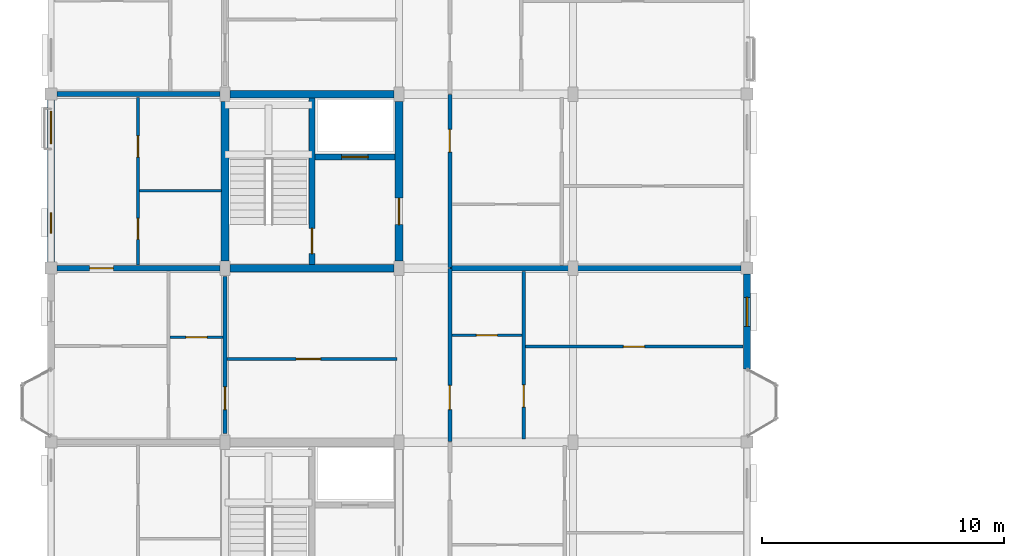
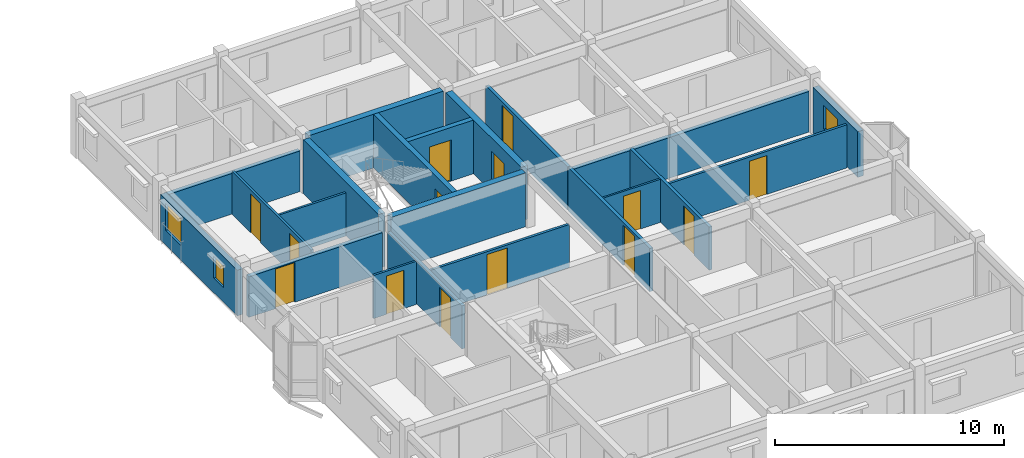
# One storey, part 41 of 64: 21 walls, 14 doors, 3 windows, 17 openings.
"""IFC4 building model written with IfcOpenShell, lengths in metres."""

from ifc_helpers import new_model, si_unit, direction, frame, frame_2d, origin, place, context, subcontext, project, spatial, rectangle, extrude, material, layer, layer_set, type_object, element, fill, save


model = new_model("IFC4")

# Units and contexts
model_context = context("Model", 3, precision=1e-05, world=origin(), true_north=direction((0.0, 1.0)))
body_context = subcontext(model_context, "Body", "Model", "MODEL_VIEW")
ifc_project = project(units=[si_unit("LENGTHUNIT", "METRE"), si_unit("AREAUNIT", "SQUARE_METRE"), si_unit("VOLUMEUNIT", "CUBIC_METRE"), si_unit("PLANEANGLEUNIT", "RADIAN"), si_unit("MASSUNIT", "GRAM", prefix="KILO"), si_unit("THERMODYNAMICTEMPERATUREUNIT", "KELVIN"), si_unit("POWERUNIT", "WATT")], contexts=[model_context])

# Site, building, storey
site_placement = place(None, origin())
site = spatial("IfcSite", under=ifc_project, at=site_placement, CompositionType="ELEMENT")
building_placement = place(site_placement, origin())
building = spatial("IfcBuilding", under=site, at=building_placement, Name="Tavuni Mirador Residences", CompositionType="ELEMENT")
storey_placement = place(building_placement, frame((0.0, 0.0, 26.550048828125)))
storey = spatial("IfcBuildingStorey", under=building, at=storey_placement, Name="L08", CompositionType="ELEMENT", Elevation=26.550048828125)

# Wall, opening, door
ifc_material_1 = material(Name="Precast concrete C40/50", Category="concrete")
ifc_layer_1 = layer(ifc_material_1, 0.25, Name="Precast concrete C40/50", Category="concrete")
ifc_layer_set_1 = layer_set([ifc_layer_1], Name="Precast concrete C40/50")
wall_type_1 = type_object("IfcWallType", Name="WT-COR250", PredefinedType="SHEAR", material=ifc_layer_set_1)
wall_1_placement = place(storey_placement, frame((14.39990234375, 28.9599609375, 0.0), z_axis=(0.0, 0.0, 1.0), x_axis=(0.0, 1.0, 0.0)))
wall_1 = element("IfcWall", 1, at=wall_1_placement, inside=storey, type_object=wall_type_1, Name="CWALL-C2-L08-MID", PredefinedType="SHEAR", context=body_context, shape_type="SweptSolid", body=[
    extrude(rectangle(XDim=6.880126953125, YDim=0.25, at=frame_2d((3.43994140625, 0.0))), origin(), (0.0, 0.0, 1.0), 2.869873046875),
])
opening_1_placement = place(wall_1_placement, frame((0.43994140625, 0.0, 0.0)))
opening_1 = element("IfcOpeningElement", 2, at=opening_1_placement, cuts=wall_1, Name="Opening D-01", PredefinedType="OPENING", context=body_context, shape_type="SweptSolid", body=[
    extrude(rectangle(XDim=1.050048828125, YDim=2.14990234375, at=frame_2d((0.52490234375, 1.074951171875))), frame((0.0, 0.135009765625, 0.0), z_axis=(0.0, -1.0, 0.0), x_axis=(1.0, 0.0, 0.0)), (0.0, 0.0, 1.0), 0.27001953125),
])
ifc_material_2 = material(Name="Solid core iroko timber", Category="wood")
door_type_1 = type_object("IfcDoorType", Name="DT-ST1050", OperationType="NOTDEFINED", PredefinedType="DOOR", material=ifc_material_2)
door_1_placement = place(opening_1_placement, origin())
door_1 = element("IfcDoor", 3, at=door_1_placement, inside=storey, type_object=door_type_1, Name="DR-2084", OperationType="SINGLE_SWING_RIGHT", OverallHeight=2.14990234375, OverallWidth=1.050048828125, PredefinedType="DOOR", context=body_context, shape_type="SweptSolid", body=[
    extrude(rectangle(XDim=1.050048828125, YDim=2.14990234375, at=frame_2d((0.52490234375, 1.074951171875))), frame((0.0, 0.02490234375, 0.0), z_axis=(0.0, -1.0, 0.0), x_axis=(1.0, 0.0, 0.0)), (0.0, 0.0, 1.0), 0.050048828125),
])
fill(opening_1, door_1)

wall_2_placement = place(storey_placement, frame((14.52490234375, 33.39990234375, 0.0), z_axis=(0.0, 0.0, 1.0), x_axis=(1.0, 0.0, 0.0)))
wall_2 = element("IfcWall", 4, at=wall_2_placement, inside=storey, type_object=wall_type_1, Name="CWALL-C2-L08-SHF", PredefinedType="SHEAR", context=body_context, shape_type="SweptSolid", body=[
    extrude(rectangle(XDim=3.315185546875, YDim=0.25, at=frame_2d((1.65771484375, 0.0))), origin(), (0.0, 0.0, 1.0), 2.869873046875),
])
opening_2_placement = place(wall_2_placement, frame((1.10009765625, 0.0, 0.0)))
opening_2 = element("IfcOpeningElement", 5, at=opening_2_placement, cuts=wall_2, Name="Opening LD-01", PredefinedType="OPENING", context=body_context, shape_type="SweptSolid", body=[
    extrude(rectangle(XDim=1.10009765625, YDim=2.199951171875, at=frame_2d((0.550048828125, 1.10009765625))), frame((0.0, 0.135009765625, 0.0), z_axis=(0.0, -1.0, 0.0), x_axis=(1.0, 0.0, 0.0)), (0.0, 0.0, 1.0), 0.27001953125),
])
ifc_material_3 = material(Name="Structural steel S355", Category="steel")
door_type_2 = type_object("IfcDoorType", Name="DT-LD-FF", OperationType="SLIDING_TO_LEFT", PredefinedType="DOOR", material=ifc_material_3)
door_2_placement = place(opening_2_placement, origin())
door_2 = element("IfcDoor", 6, at=door_2_placement, inside=storey, type_object=door_type_2, Name="Lift landing door FL-A2 L08", OperationType="SLIDING_TO_LEFT", OverallHeight=2.199951171875, OverallWidth=1.10009765625, PredefinedType="DOOR", context=body_context, shape_type="SweptSolid", body=[
    extrude(rectangle(XDim=1.10009765625, YDim=2.199951171875, at=frame_2d((0.550048828125, 1.10009765625))), frame((0.0, 0.02490234375, 0.0), z_axis=(0.0, -1.0, 0.0), x_axis=(1.0, 0.0, 0.0)), (0.0, 0.0, 1.0), 0.050048828125),
])
fill(opening_2, door_2)

# Walls
ifc_layer_2 = layer(ifc_material_1, 0.320068359375, Name="Precast concrete C40/50", Category="concrete")
ifc_layer_set_2 = layer_set([ifc_layer_2], Name="Precast concrete C40/50")
wall_type_2 = type_object("IfcWallType", Name="WT-COR320", PredefinedType="SHEAR", material=ifc_layer_set_2)
wall_3_placement = place(storey_placement, frame((10.800048828125, 29.10009765625, 0.0), z_axis=(0.0, 0.0, 1.0), x_axis=(0.0, 1.0, 0.0)))
element("IfcWall", 7, at=wall_3_placement, inside=storey, type_object=wall_type_2, Name="CWALL-C2-L08-W", PredefinedType="SHEAR", context=body_context, shape_type="SweptSolid", body=[
    extrude(rectangle(XDim=6.599853515625, YDim=0.320068359375, at=frame_2d((3.2998046875, 0.0))), origin(), (0.0, 0.0, 1.0), 2.869873046875),
])
wall_4_placement = place(storey_placement, frame((11.0, 36.0, 0.0), z_axis=(0.0, 0.0, 1.0), x_axis=(1.0, 0.0, 0.0)))
element("IfcWall", 8, at=wall_4_placement, inside=storey, type_object=wall_type_2, Name="CWALL-C2-L08-N", PredefinedType="SHEAR", context=body_context, shape_type="SweptSolid", body=[
    extrude(rectangle(XDim=6.800048828125, YDim=0.320068359375, at=frame_2d((3.39990234375, 0.0))), origin(), (0.0, 0.0, 1.0), 2.869873046875),
])

# Wall, opening, door
wall_5_placement = place(storey_placement, frame((18.0, 29.10009765625, 0.0), z_axis=(0.0, 0.0, 1.0), x_axis=(0.0, 1.0, 0.0)))
wall_5 = element("IfcWall", 9, at=wall_5_placement, inside=storey, type_object=wall_type_2, Name="CWALL-C2-L08-E", PredefinedType="SHEAR", context=body_context, shape_type="SweptSolid", body=[
    extrude(rectangle(XDim=6.599853515625, YDim=0.320068359375, at=frame_2d((3.2998046875, 0.0))), origin(), (0.0, 0.0, 1.0), 2.869873046875),
])
opening_3_placement = place(wall_5_placement, frame((1.5, 0.0, 0.0)))
opening_3 = element("IfcOpeningElement", 10, at=opening_3_placement, cuts=wall_5, Name="Opening D-02", PredefinedType="OPENING", context=body_context, shape_type="SweptSolid", body=[
    extrude(rectangle(XDim=1.10009765625, YDim=2.14990234375, at=frame_2d((0.550048828125, 1.074951171875))), frame((0.0, 0.169921875, 0.0), z_axis=(0.0, -1.0, 0.0), x_axis=(1.0, 0.0, 0.0)), (0.0, 0.0, 1.0), 0.340087890625),
])
door_type_3 = type_object("IfcDoorType", Name="DT-LOB1100", OperationType="NOTDEFINED", PredefinedType="DOOR", material=ifc_material_2)
door_3_placement = place(opening_3_placement, frame((1.10009765625, 0.0, 0.0), z_axis=(0.0, 0.0, 1.0), x_axis=(-1.0, 0.0, 0.0)))
door_3 = element("IfcDoor", 11, at=door_3_placement, inside=storey, type_object=door_type_3, Name="DR-2083", OperationType="SINGLE_SWING_RIGHT", OverallHeight=2.14990234375, OverallWidth=1.10009765625, PredefinedType="DOOR", context=body_context, shape_type="SweptSolid", body=[
    extrude(rectangle(XDim=1.10009765625, YDim=2.14990234375, at=frame_2d((0.550048828125, 1.074951171875))), frame((0.0, 0.02490234375, 0.0), z_axis=(0.0, -1.0, 0.0), x_axis=(1.0, 0.0, 0.0)), (0.0, 0.0, 1.0), 0.050048828125),
])
fill(opening_3, door_3)

# Wall
wall_6_placement = place(storey_placement, frame((11.0, 28.800048828125, 0.0), z_axis=(0.0, 0.0, 1.0), x_axis=(1.0, 0.0, 0.0)))
element("IfcWall", 12, at=wall_6_placement, inside=storey, type_object=wall_type_2, Name="CWALL-C2-L08-SS", PredefinedType="SHEAR", context=body_context, shape_type="SweptSolid", body=[
    extrude(rectangle(XDim=6.800048828125, YDim=0.320068359375, at=frame_2d((3.39990234375, 0.0))), origin(), (0.0, 0.0, 1.0), 2.869873046875),
])

# Wall, opening, door
ifc_layer_3 = layer(ifc_material_1, 0.1650390625, Name="Precast concrete C40/50", Category="concrete")
ifc_layer_set_3 = layer_set([ifc_layer_3], Name="Precast concrete C40/50")
wall_type_3 = type_object("IfcWallType", Name="WT-CORR165", PredefinedType="PARTITIONING", material=ifc_layer_set_3)
wall_7_placement = place(storey_placement, frame((20.10009765625, 21.6201171875, 0.0), z_axis=(0.0, 0.0, 1.0), x_axis=(0.0, 1.0, 0.0)))
wall_7 = element("IfcWall", 13, at=wall_7_placement, inside=storey, type_object=wall_type_3, Name="CORW-BLK-A-L08-0-02", PredefinedType="PARTITIONING", context=body_context, shape_type="SweptSolid", body=[
    extrude(rectangle(XDim=7.159912109375, YDim=0.1650390625, at=frame_2d((3.580078125, 0.0))), origin(), (0.0, 0.0, 1.0), 2.304931640625),
])
opening_4_placement = place(wall_7_placement, frame((1.330078125, 0.0, 0.0)))
opening_4 = element("IfcOpeningElement", 14, at=opening_4_placement, cuts=wall_7, Name="Opening D-03", PredefinedType="OPENING", context=body_context, shape_type="SweptSolid", body=[
    extrude(rectangle(XDim=1.0, YDim=2.14990234375, at=frame_2d((0.5, 1.074951171875))), frame((0.0, 0.092529296875, 0.0), z_axis=(0.0, -1.0, 0.0), x_axis=(1.0, 0.0, 0.0)), (0.0, 0.0, 1.0), 0.18505859375),
])
door_type_4 = type_object("IfcDoorType", Name="DT-FD60-1000", OperationType="NOTDEFINED", PredefinedType="DOOR", material=ifc_material_2)
door_4_placement = place(opening_4_placement, origin())
door_4 = element("IfcDoor", 15, at=door_4_placement, inside=storey, type_object=door_type_4, Name="DR-2463", OperationType="SINGLE_SWING_RIGHT", OverallHeight=2.14990234375, OverallWidth=1.0, PredefinedType="DOOR", context=body_context, shape_type="SweptSolid", body=[
    extrude(rectangle(XDim=1.0, YDim=2.14990234375, at=frame_2d((0.5, 1.074951171875))), frame((0.0, 0.02490234375, 0.0), z_axis=(0.0, -1.0, 0.0), x_axis=(1.0, 0.0, 0.0)), (0.0, 0.0, 1.0), 0.050048828125),
])
fill(opening_4, door_4)

wall_8_placement = place(storey_placement, frame((20.10009765625, 28.820068359375, 0.0), z_axis=(0.0, 0.0, 1.0), x_axis=(0.0, 1.0, 0.0)))
wall_8 = element("IfcWall", 16, at=wall_8_placement, inside=storey, type_object=wall_type_3, Name="CORW-BLK-A-L08-0-03", PredefinedType="PARTITIONING", context=body_context, shape_type="SweptSolid", body=[
    extrude(rectangle(XDim=7.159912109375, YDim=0.1650390625, at=frame_2d((3.580078125, 0.0))), origin(), (0.0, 0.0, 1.0), 2.304931640625),
])
opening_5_placement = place(wall_8_placement, frame((4.780029296875, 0.0, 0.0)))
opening_5 = element("IfcOpeningElement", 17, at=opening_5_placement, cuts=wall_8, Name="Opening D-19", PredefinedType="OPENING", context=body_context, shape_type="SweptSolid", body=[
    extrude(rectangle(XDim=0.93994140625, YDim=2.1201171875, at=frame_2d((0.469970703125, 1.06005859375))), frame((0.0, 0.092529296875, 0.0), z_axis=(0.0, -1.0, 0.0), x_axis=(1.0, 0.0, 0.0)), (0.0, 0.0, 1.0), 0.18505859375),
])
door_type_5 = type_object("IfcDoorType", Name="DT-FD60-940", OperationType="NOTDEFINED", PredefinedType="DOOR", material=ifc_material_2)
door_5_placement = place(opening_5_placement, origin())
door_5 = element("IfcDoor", 18, at=door_5_placement, inside=storey, type_object=door_type_5, Name="DR-2464", OperationType="SINGLE_SWING_LEFT", OverallHeight=2.1201171875, OverallWidth=0.93994140625, PredefinedType="DOOR", context=body_context, shape_type="SweptSolid", body=[
    extrude(rectangle(XDim=0.93994140625, YDim=2.1201171875, at=frame_2d((0.469970703125, 1.06005859375))), frame((0.0, 0.02490234375, 0.0), z_axis=(0.0, -1.0, 0.0), x_axis=(1.0, 0.0, 0.0)), (0.0, 0.0, 1.0), 0.050048828125),
])
fill(opening_5, door_5)

wall_9_placement = place(storey_placement, frame((10.800048828125, 21.949951171875, 0.0), z_axis=(0.0, 0.0, 1.0), x_axis=(0.0, 1.0, 0.0)))
wall_9 = element("IfcWall", 19, at=wall_9_placement, inside=storey, type_object=wall_type_3, Name="CORW-BLK-A-L08-1-02", PredefinedType="PARTITIONING", context=body_context, shape_type="SweptSolid", body=[
    extrude(rectangle(XDim=6.5, YDim=0.1650390625, at=frame_2d((3.25, 0.0))), origin(), (0.0, 0.0, 1.0), 2.304931640625),
])
opening_6_placement = place(wall_9_placement, frame((1.0, 0.0, 0.0)))
opening_6 = element("IfcOpeningElement", 20, at=opening_6_placement, cuts=wall_9, Name="Opening D-19", PredefinedType="OPENING", context=body_context, shape_type="SweptSolid", body=[
    extrude(rectangle(XDim=0.93994140625, YDim=2.1201171875, at=frame_2d((0.469970703125, 1.06005859375))), frame((0.0, 0.092529296875, 0.0), z_axis=(0.0, -1.0, 0.0), x_axis=(1.0, 0.0, 0.0)), (0.0, 0.0, 1.0), 0.18505859375),
])
door_6_placement = place(opening_6_placement, origin())
door_6 = element("IfcDoor", 21, at=door_6_placement, inside=storey, type_object=door_type_5, Name="DR-2467", OperationType="SINGLE_SWING_RIGHT", OverallHeight=2.1201171875, OverallWidth=0.93994140625, PredefinedType="DOOR", context=body_context, shape_type="SweptSolid", body=[
    extrude(rectangle(XDim=0.93994140625, YDim=2.1201171875, at=frame_2d((0.469970703125, 1.06005859375))), frame((0.0, 0.02490234375, 0.0), z_axis=(0.0, -1.0, 0.0), x_axis=(1.0, 0.0, 0.0)), (0.0, 0.0, 1.0), 0.050048828125),
])
fill(opening_6, door_6)

# Wall, openings, windows
ifc_material_4 = material(Name="Sgraffito lime-rendered precast concrete C40/50", Category="concrete")
ifc_layer_4 = layer(ifc_material_4, 0.27490234375, Name="Sgraffito lime-rendered precast concrete C40/50", Category="concrete")
ifc_layer_set_4 = layer_set([ifc_layer_4], Name="Sgraffito lime-rendered precast concrete C40/50")
wall_type_4 = type_object("IfcWallType", Name="WT-EXT-PC275", PredefinedType="SOLIDWALL", material=ifc_layer_set_4)
wall_10_placement = place(storey_placement, frame((3.60009765625, 35.75, 0.0), z_axis=(0.0, 0.0, 1.0), x_axis=(0.0, -1.0, 0.0)))
wall_10 = element("IfcWall", 22, at=wall_10_placement, inside=storey, type_object=wall_type_4, Name="EW-BLK-A-L08-W03", PredefinedType="SOLIDWALL", context=body_context, shape_type="SweptSolid", body=[
    extrude(rectangle(XDim=6.699951171875, YDim=0.27490234375, at=frame_2d((3.35009765625, 0.0))), origin(), (0.0, 0.0, 1.0), 2.43994140625),
])
opening_7_placement = place(wall_10_placement, frame((0.449951171875, 0.0, 0.780029296875)))
opening_7 = element("IfcOpeningElement", 23, at=opening_7_placement, cuts=wall_10, Name="Opening WN-29", PredefinedType="OPENING", context=body_context, shape_type="SweptSolid", body=[
    extrude(rectangle(XDim=1.35009765625, YDim=1.43994140625, at=frame_2d((0.675048828125, 0.719970703125))), frame((0.0, 0.1474609375, 0.0), z_axis=(0.0, -1.0, 0.0), x_axis=(1.0, 0.0, 0.0)), (0.0, 0.0, 1.0), 0.294921875),
])
opening_8_placement = place(wall_10_placement, frame((4.64990234375, 0.0, 0.780029296875)))
opening_8 = element("IfcOpeningElement", 24, at=opening_8_placement, cuts=wall_10, Name="Opening WN-01", PredefinedType="OPENING", context=body_context, shape_type="SweptSolid", body=[
    extrude(rectangle(XDim=0.85009765625, YDim=1.14990234375, at=frame_2d((0.425048828125, 0.574951171875))), frame((0.0, 0.1474609375, 0.0), z_axis=(0.0, -1.0, 0.0), x_axis=(1.0, 0.0, 0.0)), (0.0, 0.0, 1.0), 0.294921875),
])
ifc_material_5 = material(Name="Laminated solar-control glass", Category="glass")
window_type_1 = type_object("IfcWindowType", Name="WNT-01", PartitioningType="SINGLE_PANEL", PredefinedType="WINDOW", material=ifc_material_5)
window_1_placement = place(opening_8_placement, origin())
window_1 = element("IfcWindow", 25, at=window_1_placement, inside=storey, type_object=window_type_1, Name="WIN-0321", OverallHeight=1.14990234375, OverallWidth=0.85009765625, PartitioningType="SINGLE_PANEL", PredefinedType="WINDOW", context=body_context, shape_type="SweptSolid", body=[
    extrude(rectangle(XDim=0.85009765625, YDim=1.14990234375, at=frame_2d((0.425048828125, 0.574951171875))), frame((0.0, 0.030029296875, 0.0), z_axis=(0.0, -1.0, 0.0), x_axis=(1.0, 0.0, 0.0)), (0.0, 0.0, 1.0), 0.06005859375),
])
fill(opening_8, window_1)
window_type_2 = type_object("IfcWindowType", Name="WNT-29", PartitioningType="SINGLE_PANEL", PredefinedType="WINDOW", material=ifc_material_5)
window_2_placement = place(opening_7_placement, origin())
window_2 = element("IfcWindow", 26, at=window_2_placement, inside=storey, type_object=window_type_2, Name="WIN-0320", OverallHeight=1.43994140625, OverallWidth=1.35009765625, PartitioningType="SINGLE_PANEL", PredefinedType="WINDOW", context=body_context, shape_type="SweptSolid", body=[
    extrude(rectangle(XDim=1.35009765625, YDim=1.43994140625, at=frame_2d((0.675048828125, 0.719970703125))), frame((0.0, 0.030029296875, 0.0), z_axis=(0.0, -1.0, 0.0), x_axis=(1.0, 0.0, 0.0)), (0.0, 0.0, 1.0), 0.06005859375),
])
fill(opening_7, window_2)

# Wall, opening, window
ifc_layer_5 = layer(ifc_material_4, 0.2900390625, Name="Sgraffito lime-rendered precast concrete C40/50", Category="concrete")
ifc_layer_set_5 = layer_set([ifc_layer_5], Name="Sgraffito lime-rendered precast concrete C40/50")
wall_type_5 = type_object("IfcWallType", Name="WT-EXT-PC290", PredefinedType="SOLIDWALL", material=ifc_layer_set_5)
wall_11_placement = place(storey_placement, frame((32.39990234375, 24.6201171875, 0.0), z_axis=(0.0, 0.0, 1.0), x_axis=(0.0, 1.0, 0.0)))
wall_11 = element("IfcWall", 27, at=wall_11_placement, inside=storey, type_object=wall_type_5, Name="EW-BLK-A-L08-E02", PredefinedType="SOLIDWALL", context=body_context, shape_type="SweptSolid", body=[
    extrude(rectangle(XDim=3.929931640625, YDim=0.2900390625, at=frame_2d((1.96484375, 0.0))), origin(), (0.0, 0.0, 1.0), 2.43994140625),
])
opening_9_placement = place(wall_11_placement, frame((1.77490234375, 0.0, 0.780029296875)))
opening_9 = element("IfcOpeningElement", 28, at=opening_9_placement, cuts=wall_11, Name="Opening WN-13", PredefinedType="OPENING", context=body_context, shape_type="SweptSolid", body=[
    extrude(rectangle(XDim=1.199951171875, YDim=1.260009765625, at=frame_2d((0.60009765625, 0.6298828125))), frame((0.0, 0.155029296875, 0.0), z_axis=(0.0, -1.0, 0.0), x_axis=(1.0, 0.0, 0.0)), (0.0, 0.0, 1.0), 0.31005859375),
])
window_type_3 = type_object("IfcWindowType", Name="WNT-13", PartitioningType="SINGLE_PANEL", PredefinedType="WINDOW", material=ifc_material_5)
window_3_placement = place(opening_9_placement, origin())
window_3 = element("IfcWindow", 29, at=window_3_placement, inside=storey, type_object=window_type_3, Name="WIN-0304", OverallHeight=1.260009765625, OverallWidth=1.199951171875, PartitioningType="SINGLE_PANEL", PredefinedType="WINDOW", context=body_context, shape_type="SweptSolid", body=[
    extrude(rectangle(XDim=1.199951171875, YDim=1.260009765625, at=frame_2d((0.60009765625, 0.6298828125))), frame((0.0, 0.030029296875, 0.0), z_axis=(0.0, -1.0, 0.0), x_axis=(1.0, 0.0, 0.0)), (0.0, 0.0, 1.0), 0.06005859375),
])
fill(opening_9, window_3)

# Wall, opening, door
ifc_material_6 = material(Name="Acoustic gypsum and concrete block partition", Category="concrete")
ifc_layer_6 = layer(ifc_material_6, 0.094970703125, Name="Acoustic gypsum and concrete block partition", Category="concrete")
ifc_layer_set_6 = layer_set([ifc_layer_6], Name="Acoustic gypsum and concrete block partition")
wall_type_6 = type_object("IfcWallType", Name="WT-PART095", PredefinedType="PARTITIONING", material=ifc_layer_set_6)
wall_12_placement = place(storey_placement, frame((20.18994140625, 26.02001953125, 0.0), z_axis=(0.0, 0.0, 1.0), x_axis=(1.0, 0.0, 0.0)))
wall_12 = element("IfcWall", 30, at=wall_12_placement, inside=storey, type_object=wall_type_6, Name="PW-BLK-A-L08-E02-IN1", PredefinedType="PARTITIONING", context=body_context, shape_type="SweptSolid", body=[
    extrude(rectangle(XDim=2.900146484375, YDim=0.094970703125, at=frame_2d((1.4501953125, 0.0))), origin(), (0.0, 0.0, 1.0), 2.304931640625),
])
opening_10_placement = place(wall_12_placement, frame((1.014892578125, 0.0, 0.0)))
opening_10 = element("IfcOpeningElement", 31, at=opening_10_placement, cuts=wall_12, Name="Opening D-10", PredefinedType="OPENING", context=body_context, shape_type="SweptSolid", body=[
    extrude(rectangle(XDim=0.8701171875, YDim=2.050048828125, at=frame_2d((0.43505859375, 1.02490234375))), frame((0.0, 0.0576171875, 0.0), z_axis=(0.0, -1.0, 0.0), x_axis=(1.0, 0.0, 0.0)), (0.0, 0.0, 1.0), 0.114990234375),
])
door_type_6 = type_object("IfcDoorType", Name="DT-WC870", OperationType="NOTDEFINED", PredefinedType="DOOR", material=ifc_material_2)
door_7_placement = place(opening_10_placement, origin())
door_7 = element("IfcDoor", 32, at=door_7_placement, inside=storey, type_object=door_type_6, Name="DR-3214", OperationType="SINGLE_SWING_LEFT", OverallHeight=2.050048828125, OverallWidth=0.8701171875, PredefinedType="DOOR", context=body_context, shape_type="SweptSolid", body=[
    extrude(rectangle(XDim=0.8701171875, YDim=2.050048828125, at=frame_2d((0.43505859375, 1.02490234375))), frame((0.0, 0.02490234375, 0.0), z_axis=(0.0, -1.0, 0.0), x_axis=(1.0, 0.0, 0.0)), (0.0, 0.0, 1.0), 0.050048828125),
])
fill(opening_10, door_7)

ifc_layer_7 = layer(ifc_material_6, 0.10498046875, Name="Acoustic gypsum and concrete block partition", Category="concrete")
ifc_layer_set_7 = layer_set([ifc_layer_7], Name="Acoustic gypsum and concrete block partition")
wall_type_7 = type_object("IfcWallType", Name="WT-PART105", PredefinedType="PARTITIONING", material=ifc_layer_set_7)
wall_13_placement = place(storey_placement, frame((8.530029296875, 25.93994140625, 0.0), z_axis=(0.0, 0.0, 1.0), x_axis=(1.0, 0.0, 0.0)))
wall_13 = element("IfcWall", 33, at=wall_13_placement, inside=storey, type_object=wall_type_7, Name="PW-BLK-A-L08-W02-IN1", PredefinedType="PARTITIONING", context=body_context, shape_type="SweptSolid", body=[
    extrude(rectangle(XDim=2.179931640625, YDim=0.10498046875, at=frame_2d((1.08984375, 0.0))), origin(), (0.0, 0.0, 1.0), 2.304931640625),
])
opening_11_placement = place(wall_13_placement, frame((0.655029296875, 0.0, 0.0)))
opening_11 = element("IfcOpeningElement", 34, at=opening_11_placement, cuts=wall_13, Name="Opening D-10", PredefinedType="OPENING", context=body_context, shape_type="SweptSolid", body=[
    extrude(rectangle(XDim=0.8701171875, YDim=2.050048828125, at=frame_2d((0.43505859375, 1.02490234375))), frame((0.0, 0.0625, 0.0), z_axis=(0.0, -1.0, 0.0), x_axis=(1.0, 0.0, 0.0)), (0.0, 0.0, 1.0), 0.125),
])
door_8_placement = place(opening_11_placement, origin())
door_8 = element("IfcDoor", 35, at=door_8_placement, inside=storey, type_object=door_type_6, Name="DR-3211", OperationType="SINGLE_SWING_LEFT", OverallHeight=2.050048828125, OverallWidth=0.8701171875, PredefinedType="DOOR", context=body_context, shape_type="SweptSolid", body=[
    extrude(rectangle(XDim=0.8701171875, YDim=2.050048828125, at=frame_2d((0.43505859375, 1.02490234375))), frame((0.0, 0.02490234375, 0.0), z_axis=(0.0, -1.0, 0.0), x_axis=(1.0, 0.0, 0.0)), (0.0, 0.0, 1.0), 0.050048828125),
])
fill(opening_11, door_8)

# Wall
wall_14_placement = place(storey_placement, frame((7.27001953125, 32.0, 0.0), z_axis=(0.0, 0.0, 1.0), x_axis=(1.0, 0.0, 0.0)))
element("IfcWall", 36, at=wall_14_placement, inside=storey, type_object=wall_type_7, Name="PW-BLK-A-L08-WC03-H", PredefinedType="PARTITIONING", context=body_context, shape_type="SweptSolid", body=[
    extrude(rectangle(XDim=3.389892578125, YDim=0.10498046875, at=frame_2d((1.69482421875, 0.0))), origin(), (0.0, 0.0, 1.0), 2.304931640625),
])

# Wall, openings, doors
ifc_layer_8 = layer(ifc_material_6, 0.114990234375, Name="Acoustic gypsum and concrete block partition", Category="concrete")
ifc_layer_set_8 = layer_set([ifc_layer_8], Name="Acoustic gypsum and concrete block partition")
wall_type_8 = type_object("IfcWallType", Name="WT-PART115", PredefinedType="PARTITIONING", material=ifc_layer_set_8)
wall_15_placement = place(storey_placement, frame((7.199951171875, 28.93994140625, 0.0), z_axis=(0.0, 0.0, 1.0), x_axis=(0.0, 1.0, 0.0)))
wall_15 = element("IfcWall", 37, at=wall_15_placement, inside=storey, type_object=wall_type_8, Name="PW-BLK-A-L08-WC03-M", PredefinedType="PARTITIONING", context=body_context, shape_type="SweptSolid", body=[
    extrude(rectangle(XDim=6.920166015625, YDim=0.114990234375, at=frame_2d((3.4599609375, 0.0))), origin(), (0.0, 0.0, 1.0), 2.304931640625),
])
opening_12_placement = place(wall_15_placement, frame((1.050048828125, 0.0, 0.0)))
opening_12 = element("IfcOpeningElement", 38, at=opening_12_placement, cuts=wall_15, Name="Opening D-10", PredefinedType="OPENING", context=body_context, shape_type="SweptSolid", body=[
    extrude(rectangle(XDim=0.8701171875, YDim=2.050048828125, at=frame_2d((0.43505859375, 1.02490234375))), frame((0.0, 0.0673828125, 0.0), z_axis=(0.0, -1.0, 0.0), x_axis=(1.0, 0.0, 0.0)), (0.0, 0.0, 1.0), 0.135009765625),
])
opening_13_placement = place(wall_15_placement, frame((4.449951171875, 0.0, 0.0)))
opening_13 = element("IfcOpeningElement", 39, at=opening_13_placement, cuts=wall_15, Name="Opening D-08", PredefinedType="OPENING", context=body_context, shape_type="SweptSolid", body=[
    extrude(rectangle(XDim=0.8798828125, YDim=2.080078125, at=frame_2d((0.43994140625, 1.0400390625))), frame((0.0, 0.0673828125, 0.0), z_axis=(0.0, -1.0, 0.0), x_axis=(1.0, 0.0, 0.0)), (0.0, 0.0, 1.0), 0.135009765625),
])
door_type_7 = type_object("IfcDoorType", Name="DT-BED880", OperationType="NOTDEFINED", PredefinedType="DOOR", material=ifc_material_2)
door_9_placement = place(opening_13_placement, origin())
door_9 = element("IfcDoor", 40, at=door_9_placement, inside=storey, type_object=door_type_7, Name="DR-3217", OperationType="SINGLE_SWING_LEFT", OverallHeight=2.080078125, OverallWidth=0.8798828125, PredefinedType="DOOR", context=body_context, shape_type="SweptSolid", body=[
    extrude(rectangle(XDim=0.8798828125, YDim=2.080078125, at=frame_2d((0.43994140625, 1.0400390625))), frame((0.0, 0.02490234375, 0.0), z_axis=(0.0, -1.0, 0.0), x_axis=(1.0, 0.0, 0.0)), (0.0, 0.0, 1.0), 0.050048828125),
])
fill(opening_13, door_9)
door_10_placement = place(opening_12_placement, origin())
door_10 = element("IfcDoor", 41, at=door_10_placement, inside=storey, type_object=door_type_6, Name="DR-3216", OperationType="SINGLE_SWING_RIGHT", OverallHeight=2.050048828125, OverallWidth=0.8701171875, PredefinedType="DOOR", context=body_context, shape_type="SweptSolid", body=[
    extrude(rectangle(XDim=0.8701171875, YDim=2.050048828125, at=frame_2d((0.43505859375, 1.02490234375))), frame((0.0, 0.02490234375, 0.0), z_axis=(0.0, -1.0, 0.0), x_axis=(1.0, 0.0, 0.0)), (0.0, 0.0, 1.0), 0.050048828125),
])
fill(opening_12, door_10)

# Wall, opening, door
ifc_layer_9 = layer(ifc_material_6, 0.125, Name="Acoustic gypsum and concrete block partition", Category="concrete")
ifc_layer_set_9 = layer_set([ifc_layer_9], Name="Acoustic gypsum and concrete block partition")
wall_type_9 = type_object("IfcWallType", Name="WT-PART125", PredefinedType="PARTITIONING", material=ifc_layer_set_9)
wall_16_placement = place(storey_placement, frame((10.889892578125, 25.0400390625, 0.0), z_axis=(0.0, 0.0, 1.0), x_axis=(1.0, 0.0, 0.0)))
wall_16 = element("IfcWall", 42, at=wall_16_placement, inside=storey, type_object=wall_type_9, Name="PW-SPN-BLK-A-L08-02", PredefinedType="PARTITIONING", context=body_context, shape_type="SweptSolid", body=[
    extrude(rectangle(XDim=7.02001953125, YDim=0.125, at=frame_2d((3.510009765625, 0.0))), origin(), (0.0, 0.0, 1.0), 2.304931640625),
])
opening_14_placement = place(wall_16_placement, frame((2.85009765625, 0.0, 0.0)))
opening_14 = element("IfcOpeningElement", 43, at=opening_14_placement, cuts=wall_16, Name="Opening D-13", PredefinedType="OPENING", context=body_context, shape_type="SweptSolid", body=[
    extrude(rectangle(XDim=1.02001953125, YDim=2.14990234375, at=frame_2d((0.510009765625, 1.074951171875))), frame((0.0, 0.072509765625, 0.0), z_axis=(0.0, -1.0, 0.0), x_axis=(1.0, 0.0, 0.0)), (0.0, 0.0, 1.0), 0.14501953125),
])
door_type_8 = type_object("IfcDoorType", Name="DT-MTG1020", OperationType="NOTDEFINED", PredefinedType="DOOR", material=ifc_material_2)
door_11_placement = place(opening_14_placement, origin())
door_11 = element("IfcDoor", 44, at=door_11_placement, inside=storey, type_object=door_type_8, Name="DR-3209", OperationType="SINGLE_SWING_LEFT", OverallHeight=2.14990234375, OverallWidth=1.02001953125, PredefinedType="DOOR", context=body_context, shape_type="SweptSolid", body=[
    extrude(rectangle(XDim=1.02001953125, YDim=2.14990234375, at=frame_2d((0.510009765625, 1.074951171875))), frame((0.0, 0.02490234375, 0.0), z_axis=(0.0, -1.0, 0.0), x_axis=(1.0, 0.0, 0.0)), (0.0, 0.0, 1.0), 0.050048828125),
])
fill(opening_14, door_11)

wall_17_placement = place(storey_placement, frame((23.22998046875, 25.550048828125, 0.0), z_axis=(0.0, 0.0, 1.0), x_axis=(1.0, 0.0, 0.0)))
wall_17 = element("IfcWall", 45, at=wall_17_placement, inside=storey, type_object=wall_type_9, Name="PW-BLK-A-L08-E02-OUT", PredefinedType="PARTITIONING", context=body_context, shape_type="SweptSolid", body=[
    extrude(rectangle(XDim=8.9951171875, YDim=0.125, at=frame_2d((4.49755859375, 0.0))), origin(), (0.0, 0.0, 1.0), 2.304931640625),
])
opening_15_placement = place(wall_17_placement, frame((4.0576171875, 0.0, 0.0)))
opening_15 = element("IfcOpeningElement", 46, at=opening_15_placement, cuts=wall_17, Name="Opening D-08", PredefinedType="OPENING", context=body_context, shape_type="SweptSolid", body=[
    extrude(rectangle(XDim=0.8798828125, YDim=2.080078125, at=frame_2d((0.43994140625, 1.0400390625))), frame((0.0, 0.072509765625, 0.0), z_axis=(0.0, -1.0, 0.0), x_axis=(1.0, 0.0, 0.0)), (0.0, 0.0, 1.0), 0.14501953125),
])
door_12_placement = place(opening_15_placement, origin())
door_12 = element("IfcDoor", 47, at=door_12_placement, inside=storey, type_object=door_type_7, Name="DR-3213", OperationType="SINGLE_SWING_RIGHT", OverallHeight=2.080078125, OverallWidth=0.8798828125, PredefinedType="DOOR", context=body_context, shape_type="SweptSolid", body=[
    extrude(rectangle(XDim=0.8798828125, YDim=2.080078125, at=frame_2d((0.43994140625, 1.0400390625))), frame((0.0, 0.02490234375, 0.0), z_axis=(0.0, -1.0, 0.0), x_axis=(1.0, 0.0, 0.0)), (0.0, 0.0, 1.0), 0.050048828125),
])
fill(opening_15, door_12)

ifc_layer_10 = layer(ifc_material_6, 0.14990234375, Name="Acoustic gypsum and concrete block partition", Category="concrete")
ifc_layer_set_10 = layer_set([ifc_layer_10], Name="Acoustic gypsum and concrete block partition")
wall_type_10 = type_object("IfcWallType", Name="WT-PART150", PredefinedType="PARTITIONING", material=ifc_layer_set_10)
wall_18_placement = place(storey_placement, frame((23.159912109375, 21.739990234375, 0.0), z_axis=(0.0, 0.0, 1.0), x_axis=(0.0, 1.0, 0.0)))
wall_18 = element("IfcWall", 48, at=wall_18_placement, inside=storey, type_object=wall_type_10, Name="PW-BLK-A-L08-E02-MID", PredefinedType="PARTITIONING", context=body_context, shape_type="SweptSolid", body=[
    extrude(rectangle(XDim=6.919921875, YDim=0.14990234375, at=frame_2d((3.4599609375, 0.0))), origin(), (0.0, 0.0, 1.0), 2.304931640625),
])
opening_16_placement = place(wall_18_placement, frame((1.31005859375, 0.0, 0.0)))
opening_16 = element("IfcOpeningElement", 49, at=opening_16_placement, cuts=wall_18, Name="Opening D-06", PredefinedType="OPENING", context=body_context, shape_type="SweptSolid", body=[
    extrude(rectangle(XDim=0.919921875, YDim=2.10009765625, at=frame_2d((0.4599609375, 1.050048828125))), frame((0.0, 0.0849609375, 0.0), z_axis=(0.0, -1.0, 0.0), x_axis=(1.0, 0.0, 0.0)), (0.0, 0.0, 1.0), 0.169921875),
])
door_type_9 = type_object("IfcDoorType", Name="DT-INT920", OperationType="NOTDEFINED", PredefinedType="DOOR", material=ifc_material_2)
door_13_placement = place(opening_16_placement, origin())
door_13 = element("IfcDoor", 50, at=door_13_placement, inside=storey, type_object=door_type_9, Name="DR-3215", OperationType="SINGLE_SWING_RIGHT", OverallHeight=2.10009765625, OverallWidth=0.919921875, PredefinedType="DOOR", context=body_context, shape_type="SweptSolid", body=[
    extrude(rectangle(XDim=0.919921875, YDim=2.10009765625, at=frame_2d((0.4599609375, 1.050048828125))), frame((0.0, 0.02490234375, 0.0), z_axis=(0.0, -1.0, 0.0), x_axis=(1.0, 0.0, 0.0)), (0.0, 0.0, 1.0), 0.050048828125),
])
fill(opening_16, door_13)

ifc_layer_11 = layer(ifc_material_1, 0.215087890625, Name="Precast concrete C40/50", Category="concrete")
ifc_layer_set_11 = layer_set([ifc_layer_11], Name="Precast concrete C40/50")
wall_type_11 = type_object("IfcWallType", Name="WT-XW215", PredefinedType="SOLIDWALL", material=ifc_layer_set_11)
wall_19_placement = place(storey_placement, frame((3.85009765625, 28.800048828125, 0.0), z_axis=(0.0, 0.0, 1.0), x_axis=(1.0, 0.0, 0.0)))
wall_19 = element("IfcWall", 51, at=wall_19_placement, inside=storey, type_object=wall_type_11, Name="XW-BLK-A-L08-W-03", PredefinedType="SOLIDWALL", context=body_context, shape_type="SweptSolid", body=[
    extrude(rectangle(XDim=6.75, YDim=0.215087890625, at=frame_2d((3.375, 0.0))), origin(), (0.0, 0.0, 1.0), 2.169921875),
])
opening_17_placement = place(wall_19_placement, frame((1.35009765625, 0.0, 0.0)))
opening_17 = element("IfcOpeningElement", 52, at=opening_17_placement, cuts=wall_19, Name="Opening D-04", PredefinedType="OPENING", context=body_context, shape_type="SweptSolid", body=[
    extrude(rectangle(XDim=0.97998046875, YDim=2.1201171875, at=frame_2d((0.489990234375, 1.06005859375))), frame((0.0, 0.11767578125, 0.0), z_axis=(0.0, -1.0, 0.0), x_axis=(1.0, 0.0, 0.0)), (0.0, 0.0, 1.0), 0.235107421875),
])
door_type_10 = type_object("IfcDoorType", Name="DT-FD60-980", OperationType="NOTDEFINED", PredefinedType="DOOR", material=ifc_material_2)
door_14_placement = place(opening_17_placement, origin())
door_14 = element("IfcDoor", 53, at=door_14_placement, inside=storey, type_object=door_type_10, Name="DR-4691", OperationType="SINGLE_SWING_RIGHT", OverallHeight=2.1201171875, OverallWidth=0.97998046875, PredefinedType="DOOR", context=body_context, shape_type="SweptSolid", body=[
    extrude(rectangle(XDim=0.97998046875, YDim=2.1201171875, at=frame_2d((0.489990234375, 1.06005859375))), frame((0.0, 0.02490234375, 0.0), z_axis=(0.0, -1.0, 0.0), x_axis=(1.0, 0.0, 0.0)), (0.0, 0.0, 1.0), 0.050048828125),
])
fill(opening_17, door_14)

# Walls
wall_20_placement = place(storey_placement, frame((20.10009765625, 28.800048828125, 0.0), z_axis=(0.0, 0.0, 1.0), x_axis=(1.0, 0.0, 0.0)))
element("IfcWall", 54, at=wall_20_placement, inside=storey, type_object=wall_type_11, Name="XW-BLK-A-L08-E-03", PredefinedType="SOLIDWALL", context=body_context, shape_type="SweptSolid", body=[
    extrude(rectangle(XDim=12.0498046875, YDim=0.215087890625, at=frame_2d((6.02490234375, 0.0))), origin(), (0.0, 0.0, 1.0), 2.169921875),
])
wall_21_placement = place(storey_placement, frame((3.85009765625, 36.0, 0.0), z_axis=(0.0, 0.0, 1.0), x_axis=(1.0, 0.0, 0.0)))
element("IfcWall", 55, at=wall_21_placement, inside=storey, type_object=wall_type_11, Name="XW-BLK-A-L08-W-04", PredefinedType="SOLIDWALL", context=body_context, shape_type="SweptSolid", body=[
    extrude(rectangle(XDim=6.75, YDim=0.215087890625, at=frame_2d((3.375, 0.0))), origin(), (0.0, 0.0, 1.0), 2.169921875),
])

save(model, "model.ifc")
